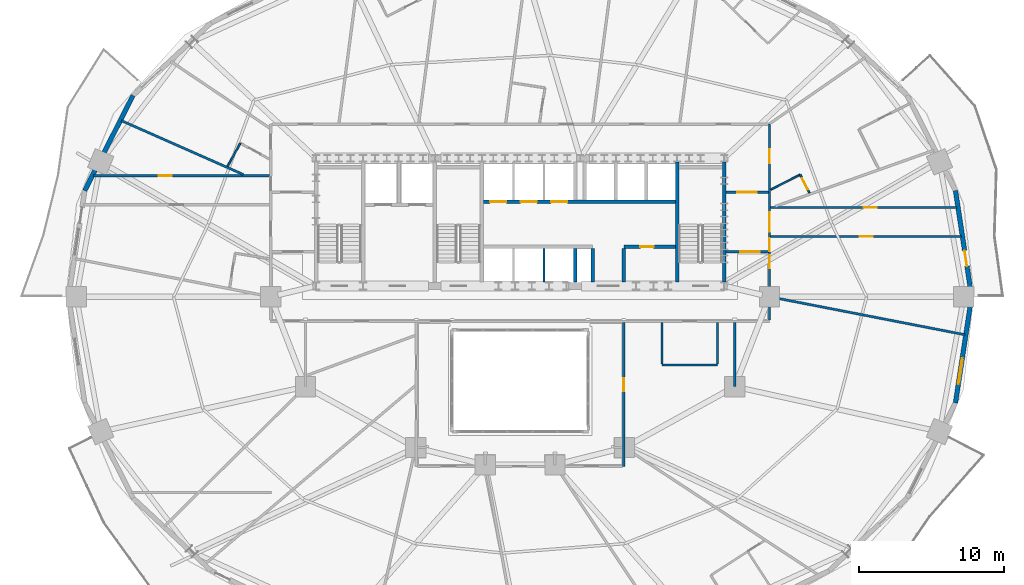
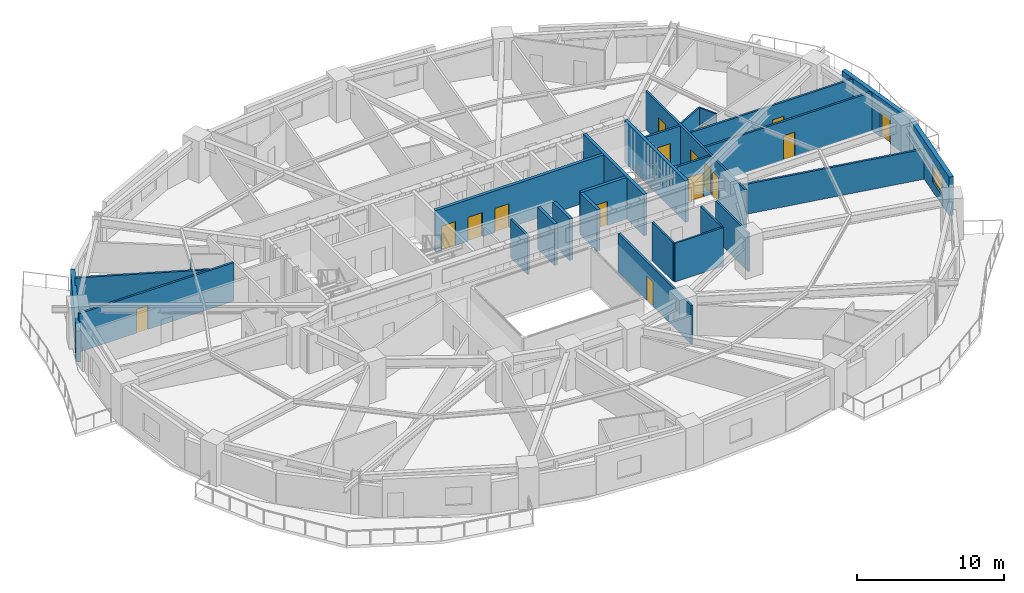
# One storey, part 11 of 17: 27 walls, 16 doors, 1 window, 17 openings.
"""IFC4 building model written with IfcOpenShell, lengths in metres."""

from ifc_helpers import new_model, si_unit, direction, frame, frame_2d, origin, place, context, subcontext, project, spatial, rectangle, extrude, material, layer, layer_set, type_object, element, fill, save


model = new_model("IFC4")

# Units and contexts
model_context = context("Model", 3, precision=1e-05, world=origin(), true_north=direction((0.0, 1.0)))
body_context = subcontext(model_context, "Body", "Model", "MODEL_VIEW")
ifc_project = project(units=[si_unit("LENGTHUNIT", "METRE"), si_unit("AREAUNIT", "SQUARE_METRE"), si_unit("VOLUMEUNIT", "CUBIC_METRE"), si_unit("PLANEANGLEUNIT", "RADIAN"), si_unit("MASSUNIT", "GRAM", prefix="KILO")], contexts=[model_context])

# Site, building, storey
site_placement = place(None, origin())
site = spatial("IfcSite", under=ifc_project, at=site_placement, CompositionType="ELEMENT")
building_placement = place(site_placement, origin())
building = spatial("IfcBuilding", under=site, at=building_placement, Name="Haldorwick Loom Tower", CompositionType="ELEMENT")
storey_placement = place(building_placement, frame((0.0, 0.0, 51.60009765625)))
storey = spatial("IfcBuildingStorey", under=building, at=storey_placement, Name="L13", CompositionType="ELEMENT", Elevation=51.60009765625)

# Wall, opening, door
ifc_material_1 = material(Name="Pressed Clay Face Brick and Insulated Masonry Backup Assembly", Category="masonry")
ifc_layer_1 = layer(ifc_material_1, 0.320068359375, Name="Pressed Clay Face Brick and Insulated Masonry Backup Assembly", Category="masonry")
ifc_layer_set_1 = layer_set([ifc_layer_1], Name="Pressed Clay Face Brick and Insulated Masonry Backup Assembly")
wall_type_1 = type_object("IfcWallType", Name="ARC-WL-EXT320", PredefinedType="STANDARD", material=ifc_layer_set_1)
wall_1_placement = place(storey_placement, frame((67.135986328125, 26.0, 0.0), z_axis=(0.0, 0.0, 1.0), x_axis=(-0.150476322528, 0.988613613278, 0.0)))
wall_1 = element("IfcWall", 1, at=wall_1_placement, inside=storey, type_object=wall_type_1, Name="L13 Brick Pier and Spandrel Wall 1", PredefinedType="STANDARD", context=body_context, shape_type="SweptSolid", body=[
    extrude(rectangle(XDim=7.40478515625, YDim=0.320068359375, at=frame_2d((3.702392578125, 0.0))), origin(), (0.0, 0.0, 1.0), 3.2099609375),
])
opening_1_placement = place(wall_1_placement, frame((2.1416015625, 0.0, 0.0)))
opening_1 = element("IfcOpeningElement", 2, at=opening_1_placement, cuts=wall_1, Name="Opening D-BL11", PredefinedType="OPENING", context=body_context, shape_type="SweptSolid", body=[
    extrude(rectangle(XDim=1.080078125, YDim=2.0400390625, at=frame_2d((0.5400390625, 1.02001953125))), frame((0.0, 0.169921875, 0.0), z_axis=(0.0, -1.0, 0.0), x_axis=(1.0, 0.0, 0.0)), (0.0, 0.0, 1.0), 0.340087890625),
])
ifc_material_2 = material(Name="Thermally Broken Anodized Aluminium Curtain Wall Framing", Category="aluminium")
door_type_1 = type_object("IfcDoorType", Name="ARC-DR-BAL110", OperationType="NOTDEFINED", PredefinedType="DOOR", material=ifc_material_2)
door_1_placement = place(opening_1_placement, origin())
door_1 = element("IfcDoor", 3, at=door_1_placement, inside=storey, type_object=door_type_1, Name="L13 Outdoor Terrace Door SLB-L13-BAL_ENE", OperationType="SINGLE_SWING_RIGHT", OverallHeight=2.0400390625, OverallWidth=1.080078125, PredefinedType="DOOR", context=body_context, shape_type="SweptSolid", body=[
    extrude(rectangle(XDim=1.080078125, YDim=2.0400390625, at=frame_2d((0.5400390625, 1.02001953125))), frame((0.0, 0.02490234375, 0.0), z_axis=(0.0, -1.0, 0.0), x_axis=(1.0, 0.0, 0.0)), (0.0, 0.0, 1.0), 0.050048828125),
])
fill(opening_1, door_1)

# Wall
wall_2_placement = place(storey_placement, frame((9.311279296875, 39.880859375, 0.0), z_axis=(0.0, 0.0, 1.0), x_axis=(-0.452950855928, -0.891535485617, 0.0)))
element("IfcWall", 4, at=wall_2_placement, inside=storey, type_object=wall_type_1, Name="L13 Brick Pier and Spandrel Wall 11", PredefinedType="STANDARD", context=body_context, shape_type="SweptSolid", body=[
    extrude(rectangle(XDim=7.3583984375, YDim=0.320068359375, at=frame_2d((3.67919921875, 0.0))), origin(), (0.0, 0.0, 1.0), 2.56884765625),
])

# Wall, opening, window
wall_3_placement = place(storey_placement, frame((66.021728515625, 18.679443359375, 0.0), z_axis=(0.0, 0.0, 1.0), x_axis=(0.150476322528, 0.988613613278, 0.0)))
wall_3 = element("IfcWall", 5, at=wall_3_placement, inside=storey, type_object=wall_type_1, Name="L13 Brick Pier and Spandrel Wall 24", PredefinedType="STANDARD", context=body_context, shape_type="SweptSolid", body=[
    extrude(rectangle(XDim=7.40478515625, YDim=0.320068359375, at=frame_2d((3.702392578125, 0.0))), origin(), (0.0, 0.0, 1.0), 3.2099609375),
])
opening_2_placement = place(wall_3_placement, frame((1.321533203125, 0.0, 0.800048828125)))
opening_2 = element("IfcOpeningElement", 6, at=opening_2_placement, cuts=wall_3, Name="Opening W-01", PredefinedType="OPENING", context=body_context, shape_type="SweptSolid", body=[
    extrude(rectangle(XDim=1.800048828125, YDim=1.47998046875, at=frame_2d((0.89990234375, 0.739990234375))), frame((0.0, 0.169921875, 0.0), z_axis=(0.0, -1.0, 0.0), x_axis=(1.0, 0.0, 0.0)), (0.0, 0.0, 1.0), 0.340087890625),
])
ifc_material_3 = material(Name="Triple-Glazed Low-E Argon Insulated Glazing Unit", Category="glass")
window_type = type_object("IfcWindowType", Name="ARC-WIN-W180", PartitioningType="SINGLE_PANEL", PredefinedType="WINDOW", material=ifc_material_3)
window_placement = place(opening_2_placement, origin())
window = element("IfcWindow", 7, at=window_placement, inside=storey, type_object=window_type, Name="L13 Deep-Set Zone 7A Window 24", OverallHeight=1.47998046875, OverallWidth=1.800048828125, PartitioningType="SINGLE_PANEL", PredefinedType="WINDOW", context=body_context, shape_type="SweptSolid", body=[
    extrude(rectangle(XDim=1.800048828125, YDim=1.47998046875, at=frame_2d((0.89990234375, 0.739990234375))), frame((0.0, 0.030029296875, 0.0), z_axis=(0.0, -1.0, 0.0), x_axis=(1.0, 0.0, 0.0)), (0.0, 0.0, 1.0), 0.06005859375),
])
fill(opening_2, window)

# Wall, openings, doors
ifc_material_4 = material(Name="Fire-Rated Type X Gypsum Stud Assembly EI 60")
ifc_layer_2 = layer(ifc_material_4, 0.159912109375, Name="Fire-Rated Type X Gypsum Stud Assembly EI 60")
ifc_layer_set_2 = layer_set([ifc_layer_2], Name="Fire-Rated Type X Gypsum Stud Assembly EI 60")
wall_type_2 = type_object("IfcWallType", Name="ARC-WL-FIRE160", PredefinedType="PARTITIONING", material=ifc_layer_set_2)
wall_4_placement = place(storey_placement, frame((53.199951171875, 24.383056640625, 0.0), z_axis=(0.0, 0.0, 1.0), x_axis=(0.0, 1.0, 0.0)))
wall_4 = element("IfcWall", 8, at=wall_4_placement, inside=storey, type_object=wall_type_2, Name="L13 Residential Fire Partition L13-CR-E0", PredefinedType="PARTITIONING", context=body_context, shape_type="SweptSolid", body=[
    extrude(rectangle(XDim=13.516845703125, YDim=0.159912109375, at=frame_2d((6.75830078125, 0.0))), origin(), (0.0, 0.0, 1.0), 3.19482421875),
])
opening_3_placement = place(wall_4_placement, frame((6.08349609375, 0.0, 0.0)))
opening_3 = element("IfcOpeningElement", 9, at=opening_3_placement, cuts=wall_4, Name="Opening D-CR15", PredefinedType="OPENING", context=body_context, shape_type="SweptSolid", body=[
    extrude(rectangle(XDim=1.35009765625, YDim=2.0, at=frame_2d((0.675048828125, 1.0))), frame((0.0, 0.08984375, 0.0), z_axis=(0.0, -1.0, 0.0), x_axis=(1.0, 0.0, 0.0)), (0.0, 0.0, 1.0), 0.179931640625),
])
opening_4_placement = place(wall_4_placement, frame((10.826171875, 0.0, 0.0)))
opening_4 = element("IfcOpeningElement", 10, at=opening_4_placement, cuts=wall_4, Name="Opening D-FL95", PredefinedType="OPENING", context=body_context, shape_type="SweptSolid", body=[
    extrude(rectangle(XDim=0.949951171875, YDim=2.0400390625, at=frame_2d((0.47509765625, 1.02001953125))), frame((0.0, 0.08984375, 0.0), z_axis=(0.0, -1.0, 0.0), x_axis=(1.0, 0.0, 0.0)), (0.0, 0.0, 1.0), 0.179931640625),
])
opening_5_placement = place(wall_4_placement, frame((3.5908203125, 0.0, 0.0)))
opening_5 = element("IfcOpeningElement", 11, at=opening_5_placement, cuts=wall_4, Name="Opening D-FD60A", PredefinedType="OPENING", context=body_context, shape_type="SweptSolid", body=[
    extrude(rectangle(XDim=0.89990234375, YDim=2.0, at=frame_2d((0.449951171875, 1.0))), frame((0.0, 0.08984375, 0.0), z_axis=(0.0, -1.0, 0.0), x_axis=(1.0, 0.0, 0.0)), (0.0, 0.0, 1.0), 0.179931640625),
])
opening_6_placement = place(wall_4_placement, frame((4.75732421875, 0.0, 0.0)))
opening_6 = element("IfcOpeningElement", 12, at=opening_6_placement, cuts=wall_4, Name="Opening D-FD60A", PredefinedType="OPENING", context=body_context, shape_type="SweptSolid", body=[
    extrude(rectangle(XDim=0.89990234375, YDim=2.0, at=frame_2d((0.449951171875, 1.0))), frame((0.0, 0.08984375, 0.0), z_axis=(0.0, -1.0, 0.0), x_axis=(1.0, 0.0, 0.0)), (0.0, 0.0, 1.0), 0.179931640625),
])
ifc_material_5 = material(Name="Thermally Broken Anodized Aluminium and Tempered Glass", Category="aluminium")
door_type_2 = type_object("IfcDoorType", Name="ARC-DR-COR150", OperationType="NOTDEFINED", PredefinedType="DOOR", material=ifc_material_5)
door_2_placement = place(opening_3_placement, origin())
door_2 = element("IfcDoor", 13, at=door_2_placement, inside=storey, type_object=door_type_2, Name="L13 L13 East Residential Corridor to L13 East Daylight Corridor Door", OperationType="DOUBLE_DOOR_SINGLE_SWING", OverallHeight=2.0, OverallWidth=1.35009765625, PredefinedType="DOOR", context=body_context, shape_type="SweptSolid", body=[
    extrude(rectangle(XDim=1.35009765625, YDim=2.0, at=frame_2d((0.675048828125, 1.0))), frame((0.0, 0.02490234375, 0.0), z_axis=(0.0, -1.0, 0.0), x_axis=(1.0, 0.0, 0.0)), (0.0, 0.0, 1.0), 0.050048828125),
])
fill(opening_3, door_2)
ifc_material_6 = material(Name="Hollow Steel Fire Door Assembly", Category="steel")
door_type_3 = type_object("IfcDoorType", Name="ARC-DR-FD60-90", OperationType="NOTDEFINED", PredefinedType="DOOR", material=ifc_material_6)
door_3_placement = place(opening_5_placement, origin())
door_3 = element("IfcDoor", 14, at=door_3_placement, inside=storey, type_object=door_type_3, Name="L13 L13 Central Residential Corridor to Resident Cafe Room 2 Door", OperationType="SINGLE_SWING_LEFT", OverallHeight=2.0, OverallWidth=0.89990234375, PredefinedType="DOOR", context=body_context, shape_type="SweptSolid", body=[
    extrude(rectangle(XDim=0.89990234375, YDim=2.0, at=frame_2d((0.449951171875, 1.0))), frame((0.0, 0.02490234375, 0.0), z_axis=(0.0, -1.0, 0.0), x_axis=(1.0, 0.0, 0.0)), (0.0, 0.0, 1.0), 0.050048828125),
])
fill(opening_5, door_3)
door_4_placement = place(opening_6_placement, origin())
door_4 = element("IfcDoor", 15, at=door_4_placement, inside=storey, type_object=door_type_3, Name="L13 L13 East Residential Corridor to Resident Cafe Room 2 Door", OperationType="SINGLE_SWING_RIGHT", OverallHeight=2.0, OverallWidth=0.89990234375, PredefinedType="DOOR", context=body_context, shape_type="SweptSolid", body=[
    extrude(rectangle(XDim=0.89990234375, YDim=2.0, at=frame_2d((0.449951171875, 1.0))), frame((0.0, 0.02490234375, 0.0), z_axis=(0.0, -1.0, 0.0), x_axis=(1.0, 0.0, 0.0)), (0.0, 0.0, 1.0), 0.050048828125),
])
fill(opening_6, door_4)
ifc_material_7 = material(Name="Solid Core Birch Architectural Door")
door_type_4 = type_object("IfcDoorType", Name="ARC-DR-FLAT95", OperationType="NOTDEFINED", PredefinedType="DOOR", material=ifc_material_7)
door_5_placement = place(opening_4_placement, origin())
door_5 = element("IfcDoor", 16, at=door_5_placement, inside=storey, type_object=door_type_4, Name="L13 L13 North Residential Corridor to Unit 13J Kitchen and Living Room D", OperationType="SINGLE_SWING_LEFT", OverallHeight=2.0400390625, OverallWidth=0.949951171875, PredefinedType="DOOR", context=body_context, shape_type="SweptSolid", body=[
    extrude(rectangle(XDim=0.949951171875, YDim=2.0400390625, at=frame_2d((0.47509765625, 1.02001953125))), frame((0.0, 0.02490234375, 0.0), z_axis=(0.0, -1.0, 0.0), x_axis=(1.0, 0.0, 0.0)), (0.0, 0.0, 1.0), 0.050048828125),
])
fill(opening_4, door_5)

# Wall, opening, door
wall_5_placement = place(storey_placement, frame((50.193115234375, 29.10009765625, 0.0), z_axis=(0.0, 0.0, 1.0), x_axis=(1.0, 0.0, 0.0)))
wall_5 = element("IfcWall", 17, at=wall_5_placement, inside=storey, type_object=wall_type_2, Name="L13 Residential Fire Partition L13-CR-ESJ", PredefinedType="PARTITIONING", context=body_context, shape_type="SweptSolid", body=[
    extrude(rectangle(XDim=2.923828125, YDim=0.159912109375, at=frame_2d((1.4619140625, 0.0))), origin(), (0.0, 0.0, 1.0), 3.19482421875),
])
opening_7_placement = place(wall_5_placement, frame((0.99560546875, 0.0, 0.0)))
opening_7 = element("IfcOpeningElement", 18, at=opening_7_placement, cuts=wall_5, Name="Opening D-CR15", PredefinedType="OPENING", context=body_context, shape_type="SweptSolid", body=[
    extrude(rectangle(XDim=1.35009765625, YDim=2.0, at=frame_2d((0.675048828125, 1.0))), frame((0.0, 0.08984375, 0.0), z_axis=(0.0, -1.0, 0.0), x_axis=(1.0, 0.0, 0.0)), (0.0, 0.0, 1.0), 0.179931640625),
])
door_6_placement = place(opening_7_placement, origin())
door_6 = element("IfcDoor", 19, at=door_6_placement, inside=storey, type_object=door_type_2, Name="L13 L13 East Residential Corridor to L13 Central Residential Corridor Do", OperationType="DOUBLE_DOOR_SINGLE_SWING", OverallHeight=2.0, OverallWidth=1.35009765625, PredefinedType="DOOR", context=body_context, shape_type="SweptSolid", body=[
    extrude(rectangle(XDim=1.35009765625, YDim=2.0, at=frame_2d((0.675048828125, 1.0))), frame((0.0, 0.02490234375, 0.0), z_axis=(0.0, -1.0, 0.0), x_axis=(1.0, 0.0, 0.0)), (0.0, 0.0, 1.0), 0.050048828125),
])
fill(opening_7, door_6)

wall_6_placement = place(storey_placement, frame((50.193115234375, 33.199951171875, 0.0), z_axis=(0.0, 0.0, 1.0), x_axis=(1.0, 0.0, 0.0)))
wall_6 = element("IfcWall", 20, at=wall_6_placement, inside=storey, type_object=wall_type_2, Name="L13 Residential Fire Partition L13-CR-ENJ", PredefinedType="PARTITIONING", context=body_context, shape_type="SweptSolid", body=[
    extrude(rectangle(XDim=2.923828125, YDim=0.159912109375, at=frame_2d((1.4619140625, 0.0))), origin(), (0.0, 0.0, 1.0), 3.19482421875),
])
opening_8_placement = place(wall_6_placement, frame((0.787109375, 0.0, 0.0)))
opening_8 = element("IfcOpeningElement", 21, at=opening_8_placement, cuts=wall_6, Name="Opening D-CR15", PredefinedType="OPENING", context=body_context, shape_type="SweptSolid", body=[
    extrude(rectangle(XDim=1.35009765625, YDim=2.0, at=frame_2d((0.675048828125, 1.0))), frame((0.0, 0.08984375, 0.0), z_axis=(0.0, -1.0, 0.0), x_axis=(1.0, 0.0, 0.0)), (0.0, 0.0, 1.0), 0.179931640625),
])
door_7_placement = place(opening_8_placement, origin())
door_7 = element("IfcDoor", 22, at=door_7_placement, inside=storey, type_object=door_type_2, Name="L13 L13 North Residential Corridor to L13 East Residential Corridor Door", OperationType="DOUBLE_DOOR_SINGLE_SWING", OverallHeight=2.0, OverallWidth=1.35009765625, PredefinedType="DOOR", context=body_context, shape_type="SweptSolid", body=[
    extrude(rectangle(XDim=1.35009765625, YDim=2.0, at=frame_2d((0.675048828125, 1.0))), frame((0.0, 0.02490234375, 0.0), z_axis=(0.0, -1.0, 0.0), x_axis=(1.0, 0.0, 0.0)), (0.0, 0.0, 1.0), 0.050048828125),
])
fill(opening_8, door_7)

wall_7_placement = place(storey_placement, frame((43.14990234375, 14.300048828125, 0.0), z_axis=(0.0, 0.0, 1.0), x_axis=(0.0, 1.0, 0.0)))
wall_7 = element("IfcWall", 23, at=wall_7_placement, inside=storey, type_object=wall_type_2, Name="L13 Residential Fire Partition L13-CR-AE", PredefinedType="PARTITIONING", context=body_context, shape_type="SweptSolid", body=[
    extrude(rectangle(XDim=9.9169921875, YDim=0.159912109375, at=frame_2d((4.95849609375, 0.0))), origin(), (0.0, 0.0, 1.0), 3.19482421875),
])
opening_9_placement = place(wall_7_placement, frame((5.169677734375, 0.0, 0.0)))
opening_9 = element("IfcOpeningElement", 24, at=opening_9_placement, cuts=wall_7, Name="Opening D-FD60A", PredefinedType="OPENING", context=body_context, shape_type="SweptSolid", body=[
    extrude(rectangle(XDim=0.89990234375, YDim=2.0, at=frame_2d((0.449951171875, 1.0))), frame((0.0, 0.08984375, 0.0), z_axis=(0.0, -1.0, 0.0), x_axis=(1.0, 0.0, 0.0)), (0.0, 0.0, 1.0), 0.179931640625),
])
door_8_placement = place(opening_9_placement, origin())
door_8 = element("IfcDoor", 25, at=door_8_placement, inside=storey, type_object=door_type_3, Name="L13 L13 South Atrium Corridor to Co-Working Open Office 5 Door", OperationType="SINGLE_SWING_LEFT", OverallHeight=2.0, OverallWidth=0.89990234375, PredefinedType="DOOR", context=body_context, shape_type="SweptSolid", body=[
    extrude(rectangle(XDim=0.89990234375, YDim=2.0, at=frame_2d((0.449951171875, 1.0))), frame((0.0, 0.02490234375, 0.0), z_axis=(0.0, -1.0, 0.0), x_axis=(1.0, 0.0, 0.0)), (0.0, 0.0, 1.0), 0.050048828125),
])
fill(opening_9, door_8)

wall_8_placement = place(storey_placement, frame((6.57421875, 34.35009765625, 0.0), z_axis=(0.0, 0.0, 1.0), x_axis=(1.0, 0.0, 0.0)))
wall_8 = element("IfcWall", 26, at=wall_8_placement, inside=storey, type_object=wall_type_2, Name="L13 Residential Fire Partition L13-CR-GW1", PredefinedType="PARTITIONING", context=body_context, shape_type="SweptSolid", body=[
    extrude(rectangle(XDim=12.142822265625, YDim=0.159912109375, at=frame_2d((6.0712890625, 0.0))), origin(), (0.0, 0.0, 1.0), 3.19482421875),
])
opening_10_placement = place(wall_8_placement, frame((4.517578125, 0.0, 0.0)))
opening_10 = element("IfcOpeningElement", 27, at=opening_10_placement, cuts=wall_8, Name="Opening D-FD60A", PredefinedType="OPENING", context=body_context, shape_type="SweptSolid", body=[
    extrude(rectangle(XDim=0.89990234375, YDim=2.0, at=frame_2d((0.449951171875, 1.0))), frame((0.0, 0.08984375, 0.0), z_axis=(0.0, -1.0, 0.0), x_axis=(1.0, 0.0, 0.0)), (0.0, 0.0, 1.0), 0.179931640625),
])
door_9_placement = place(opening_10_placement, frame((0.89990234375, 0.0, 0.0), z_axis=(0.0, 0.0, 1.0), x_axis=(-1.0, 0.0, 0.0)))
door_9 = element("IfcDoor", 28, at=door_9_placement, inside=storey, type_object=door_type_3, Name="L13 Resident Study Room 10 to L13 West Daylight Corridor Door", OperationType="SINGLE_SWING_RIGHT", OverallHeight=2.0, OverallWidth=0.89990234375, PredefinedType="DOOR", context=body_context, shape_type="SweptSolid", body=[
    extrude(rectangle(XDim=0.89990234375, YDim=2.0, at=frame_2d((0.449951171875, 1.0))), frame((0.0, 0.02490234375, 0.0), z_axis=(0.0, -1.0, 0.0), x_axis=(1.0, 0.0, 0.0)), (0.0, 0.0, 1.0), 0.050048828125),
])
fill(opening_10, door_9)

wall_9_placement = place(storey_placement, frame((53.282958984375, 30.14990234375, 0.0), z_axis=(0.0, 0.0, 1.0), x_axis=(1.0, 0.0, 0.0)))
wall_9 = element("IfcWall", 29, at=wall_9_placement, inside=storey, type_object=wall_type_2, Name="L13 Residential Fire Partition L13-CR-GE0", PredefinedType="PARTITIONING", context=body_context, shape_type="SweptSolid", body=[
    extrude(rectangle(XDim=13.15576171875, YDim=0.159912109375, at=frame_2d((6.577880859375, 0.0))), origin(), (0.0, 0.0, 1.0), 3.19482421875),
])
opening_11_placement = place(wall_9_placement, frame((6.127685546875, 0.0, 0.0)))
opening_11 = element("IfcOpeningElement", 30, at=opening_11_placement, cuts=wall_9, Name="Opening D-FD60A", PredefinedType="OPENING", context=body_context, shape_type="SweptSolid", body=[
    extrude(rectangle(XDim=0.89990234375, YDim=2.0, at=frame_2d((0.449951171875, 1.0))), frame((0.0, 0.08984375, 0.0), z_axis=(0.0, -1.0, 0.0), x_axis=(1.0, 0.0, 0.0)), (0.0, 0.0, 1.0), 0.179931640625),
])
door_10_placement = place(opening_11_placement, origin())
door_10 = element("IfcDoor", 31, at=door_10_placement, inside=storey, type_object=door_type_3, Name="L13 L13 East Daylight Corridor to Resident Cafe Room 2 Door", OperationType="SINGLE_SWING_LEFT", OverallHeight=2.0, OverallWidth=0.89990234375, PredefinedType="DOOR", context=body_context, shape_type="SweptSolid", body=[
    extrude(rectangle(XDim=0.89990234375, YDim=2.0, at=frame_2d((0.449951171875, 1.0))), frame((0.0, 0.02490234375, 0.0), z_axis=(0.0, -1.0, 0.0), x_axis=(1.0, 0.0, 0.0)), (0.0, 0.0, 1.0), 0.050048828125),
])
fill(opening_11, door_10)

wall_10_placement = place(storey_placement, frame((53.282958984375, 32.14990234375, 0.0), z_axis=(0.0, 0.0, 1.0), x_axis=(1.0, 0.0, 0.0)))
wall_10 = element("IfcWall", 32, at=wall_10_placement, inside=storey, type_object=wall_type_2, Name="L13 Residential Fire Partition L13-CR-GE1", PredefinedType="PARTITIONING", context=body_context, shape_type="SweptSolid", body=[
    extrude(rectangle(XDim=12.851318359375, YDim=0.159912109375, at=frame_2d((6.42578125, 0.0))), origin(), (0.0, 0.0, 1.0), 3.19482421875),
])
opening_12_placement = place(wall_10_placement, frame((6.418701171875, 0.0, 0.0)))
opening_12 = element("IfcOpeningElement", 33, at=opening_12_placement, cuts=wall_10, Name="Opening D-FD60A", PredefinedType="OPENING", context=body_context, shape_type="SweptSolid", body=[
    extrude(rectangle(XDim=0.89990234375, YDim=2.0, at=frame_2d((0.449951171875, 1.0))), frame((0.0, 0.08984375, 0.0), z_axis=(0.0, -1.0, 0.0), x_axis=(1.0, 0.0, 0.0)), (0.0, 0.0, 1.0), 0.179931640625),
])
door_11_placement = place(opening_12_placement, frame((0.89990234375, 0.0, 0.0), z_axis=(0.0, 0.0, 1.0), x_axis=(-1.0, 0.0, 0.0)))
door_11 = element("IfcDoor", 34, at=door_11_placement, inside=storey, type_object=door_type_3, Name="L13 Tenant Committee Meeting Room 9 to L13 East Daylight Corridor Door", OperationType="SINGLE_SWING_LEFT", OverallHeight=2.0, OverallWidth=0.89990234375, PredefinedType="DOOR", context=body_context, shape_type="SweptSolid", body=[
    extrude(rectangle(XDim=0.89990234375, YDim=2.0, at=frame_2d((0.449951171875, 1.0))), frame((0.0, 0.02490234375, 0.0), z_axis=(0.0, -1.0, 0.0), x_axis=(1.0, 0.0, 0.0)), (0.0, 0.0, 1.0), 0.050048828125),
])
fill(opening_12, door_11)

# Walls
wall_11_placement = place(storey_placement, frame((53.282958984375, 25.98388671875, 0.0), z_axis=(0.0, 0.0, 1.0), x_axis=(0.98162656706, -0.190812166391, 0.0)))
element("IfcWall", 35, at=wall_11_placement, inside=storey, type_object=wall_type_2, Name="L13 Residential Fire Partition L13-ICR-01", PredefinedType="PARTITIONING", context=body_context, shape_type="SweptSolid", body=[
    extrude(rectangle(XDim=13.63916015625, YDim=0.159912109375, at=frame_2d((6.819580078125, 0.0))), origin(), (0.0, 0.0, 1.0), 2.489990234375),
])
wall_12_placement = place(storey_placement, frame((50.800048828125, 24.217041015625, 0.0), z_axis=(0.0, 0.0, 1.0), x_axis=(0.0, -1.0, 0.0)))
element("IfcWall", 36, at=wall_12_placement, inside=storey, type_object=wall_type_2, Name="L13 Residential Fire Partition L13-ICA-02", PredefinedType="PARTITIONING", context=body_context, shape_type="SweptSolid", body=[
    extrude(rectangle(XDim=4.4169921875, YDim=0.159912109375, at=frame_2d((2.20849609375, 0.0))), origin(), (0.0, 0.0, 1.0), 3.19482421875),
])
wall_13_placement = place(storey_placement, frame((16.90673828125, 34.43310546875, 0.0), z_axis=(0.0, 0.0, 1.0), x_axis=(-0.914755811252, 0.404007185309, 0.0)))
element("IfcWall", 37, at=wall_13_placement, inside=storey, type_object=wall_type_2, Name="L13 Suite Split Wall", PredefinedType="PARTITIONING", context=body_context, shape_type="SweptSolid", body=[
    extrude(rectangle(XDim=9.187744140625, YDim=0.159912109375, at=frame_2d((4.59375, 0.0))), origin(), (0.0, 0.0, 1.0), 3.19482421875),
])

# Wall, opening, door
ifc_material_8 = material(Name="Acoustic Gypsum Stud Assembly STC 55")
ifc_layer_3 = layer(ifc_material_8, 0.1201171875, Name="Acoustic Gypsum Stud Assembly STC 55")
ifc_layer_set_3 = layer_set([ifc_layer_3], Name="Acoustic Gypsum Stud Assembly STC 55")
wall_type_3 = type_object("IfcWallType", Name="ARC-WL-PART120", PredefinedType="PARTITIONING", material=ifc_layer_set_3)
wall_14_placement = place(storey_placement, frame((55.95458984375, 33.152099609375, 0.0), z_axis=(0.0, 0.0, 1.0), x_axis=(-0.449491547188, 0.893284584557, 0.0)))
wall_14 = element("IfcWall", 38, at=wall_14_placement, inside=storey, type_object=wall_type_3, Name="L13 Unit 13J Interior Partition", PredefinedType="PARTITIONING", context=body_context, shape_type="SweptSolid", body=[
    extrude(rectangle(XDim=1.413818359375, YDim=0.1201171875, at=frame_2d((0.70703125, 0.0))), origin(), (0.0, 0.0, 1.0), 3.19482421875),
])
opening_13_placement = place(wall_14_placement, frame((0.266845703125, 0.0, 0.0)))
opening_13 = element("IfcOpeningElement", 39, at=opening_13_placement, cuts=wall_14, Name="Opening D-BT88", PredefinedType="OPENING", context=body_context, shape_type="SweptSolid", body=[
    extrude(rectangle(XDim=0.8798828125, YDim=2.02001953125, at=frame_2d((0.43994140625, 1.010009765625))), frame((0.0, 0.070068359375, 0.0), z_axis=(0.0, -1.0, 0.0), x_axis=(1.0, 0.0, 0.0)), (0.0, 0.0, 1.0), 0.14013671875),
])
door_type_5 = type_object("IfcDoorType", Name="ARC-DR-BATH88", OperationType="NOTDEFINED", PredefinedType="DOOR", material=ifc_material_7)
door_12_placement = place(opening_13_placement, origin())
door_12 = element("IfcDoor", 40, at=door_12_placement, inside=storey, type_object=door_type_5, Name="L13 Unit 13J Bathroom to Unit 13J Kitchen and Living Room Door", OperationType="SINGLE_SWING_RIGHT", OverallHeight=2.02001953125, OverallWidth=0.8798828125, PredefinedType="DOOR", context=body_context, shape_type="SweptSolid", body=[
    extrude(rectangle(XDim=0.8798828125, YDim=2.02001953125, at=frame_2d((0.43994140625, 1.010009765625))), frame((0.0, 0.02490234375, 0.0), z_axis=(0.0, -1.0, 0.0), x_axis=(1.0, 0.0, 0.0)), (0.0, 0.0, 1.0), 0.050048828125),
])
fill(opening_13, door_12)

# Walls
wall_15_placement = place(storey_placement, frame((53.282958984375, 33.390380859375, 0.0), z_axis=(0.0, 0.0, 1.0), x_axis=(0.893267449767, 0.449525597922, 0.0)))
element("IfcWall", 41, at=wall_15_placement, inside=storey, type_object=wall_type_3, Name="L13 Unit 13J Interior Partition", PredefinedType="PARTITIONING", context=body_context, shape_type="SweptSolid", body=[
    extrude(rectangle(XDim=2.279541015625, YDim=0.1201171875, at=frame_2d((1.1396484375, 0.0))), origin(), (0.0, 0.0, 1.0), 3.19482421875),
])
wall_16_placement = place(storey_placement, frame((16.705322265625, 36.589111328125, 0.0), z_axis=(0.0, 0.0, 1.0), x_axis=(-0.48048220159, -0.877004477728, 0.0)))
element("IfcWall", 42, at=wall_16_placement, inside=storey, type_object=wall_type_3, Name="L13 Unit 13L Interior Partition", PredefinedType="PARTITIONING", context=body_context, shape_type="SweptSolid", body=[
    extrude(rectangle(XDim=1.814453125, YDim=0.1201171875, at=frame_2d((0.9072265625, 0.0))), origin(), (0.0, 0.0, 1.0), 2.826904296875),
])
ifc_layer_4 = layer(ifc_material_4, 0.139892578125, Name="Fire-Rated Type X Gypsum Stud Assembly EI 60")
ifc_layer_set_4 = layer_set([ifc_layer_4], Name="Fire-Rated Type X Gypsum Stud Assembly EI 60")
wall_type_4 = type_object("IfcWallType", Name="ARC-WL-PART140", PredefinedType="PARTITIONING", material=ifc_layer_set_4)
wall_17_placement = place(storey_placement, frame((45.800048828125, 21.300048828125, 0.0), z_axis=(0.0, 0.0, 1.0), x_axis=(1.0, 0.0, 0.0)))
element("IfcWall", 43, at=wall_17_placement, inside=storey, type_object=wall_type_4, Name="L13 Residential Fire Partition L13-CWC-S", PredefinedType="PARTITIONING", context=body_context, shape_type="SweptSolid", body=[
    extrude(rectangle(XDim=3.800048828125, YDim=0.139892578125, at=frame_2d((1.89990234375, 0.0))), origin(), (0.0, 0.0, 1.0), 3.19482421875),
])
for number, where, z_axis, x_axis, name in (
    (44, (45.800048828125, 21.373046875, 0.0), (0.0, 0.0, 1.0), (0.0, 1.0, 0.0), "L13 Residential Fire Partition L13-CWC-W"),
    (45, (49.60009765625, 21.373046875, 0.0), (0.0, 0.0, 1.0), (0.0, 1.0, 0.0), "L13 Residential Fire Partition L13-CWC-E"),
):
    element("IfcWall", number, at=place(storey_placement, frame(where, z_axis=z_axis, x_axis=x_axis)), inside=storey, type_object=wall_type_4, Name=name, PredefinedType="PARTITIONING", context=body_context, shape_type="SweptSolid", body=[
        extrude(rectangle(XDim=2.843994140625, YDim=0.139892578125, at=frame_2d((1.421875, 0.0))), origin(), (0.0, 0.0, 1.0), 3.19482421875),
    ])
ifc_material_9 = material(Name="Fire-Rated Type X Gypsum Stud Assembly EI 120")
ifc_layer_5 = layer(ifc_material_9, 0.1650390625, Name="Fire-Rated Type X Gypsum Stud Assembly EI 120")
ifc_layer_set_5 = layer_set([ifc_layer_5], Name="Fire-Rated Type X Gypsum Stud Assembly EI 120")
wall_type_5 = type_object("IfcWallType", Name="ARC-WL-SHAFT160", PredefinedType="MOVABLE", material=ifc_layer_set_5)
wall_18_placement = place(storey_placement, frame((37.64990234375, 27.0029296875, 0.0), z_axis=(0.0, 0.0, 1.0), x_axis=(0.0, 1.0, 0.0)))
element("IfcWall", 46, at=wall_18_placement, inside=storey, type_object=wall_type_5, Name="L13 Mid-Rise Hoistway Divider 2", PredefinedType="MOVABLE", context=body_context, shape_type="SweptSolid", body=[
    extrude(rectangle(XDim=2.323974609375, YDim=0.159912109375, at=frame_2d((1.162109375, 0.0))), origin(), (0.0, 0.0, 1.0), 3.19482421875),
])
ifc_material_10 = material(Name="Concrete C50 (50 MPa)", Category="concrete")
ifc_layer_6 = layer(ifc_material_10, 0.239990234375, Name="Concrete C50 (50 MPa)", Category="concrete")
ifc_layer_set_6 = layer_set([ifc_layer_6], Name="Concrete C50 (50 MPa)")
wall_type_6 = type_object("IfcWallType", Name="STR-WL-SHAFT240", PredefinedType="SHEAR", material=ifc_layer_set_6)
for number, where, z_axis, x_axis, name in (
    (47, (50.070068359375, 27.0029296875, 0.0), (0.0, 0.0, 1.0), (0.0, 1.0, 0.0), "L13 Core Shear Wall E"),
    (48, (46.830078125, 27.0029296875, 0.0), (0.0, 0.0, 1.0), (0.0, 1.0, 0.0), "L13 Core Shear Wall 4"),
):
    element("IfcWall", number, at=place(storey_placement, frame(where, z_axis=z_axis, x_axis=x_axis)), inside=storey, type_object=wall_type_6, Name=name, PredefinedType="SHEAR", context=body_context, shape_type="SweptSolid", body=[
        extrude(rectangle(XDim=8.294189453125, YDim=0.239990234375, at=frame_2d((4.14697265625, 0.0))), origin(), (0.0, 0.0, 1.0), 3.449951171875),
    ])

# Wall, openings, doors
wall_19_placement = place(storey_placement, frame((33.492919921875, 32.550048828125, 0.0), z_axis=(0.0, 0.0, 1.0), x_axis=(1.0, 0.0, 0.0)))
wall_19 = element("IfcWall", 49, at=wall_19_placement, inside=storey, type_object=wall_type_6, Name="L13 Core Shear Wall LN", PredefinedType="SHEAR", context=body_context, shape_type="SweptSolid", body=[
    extrude(rectangle(XDim=13.214111328125, YDim=0.239990234375, at=frame_2d((6.60693359375, 0.0))), origin(), (0.0, 0.0, 1.0), 3.449951171875),
])
opening_14_placement = place(wall_19_placement, frame((0.447021484375, 0.0, 0.0)))
opening_14 = element("IfcOpeningElement", 50, at=opening_14_placement, cuts=wall_19, Name="Opening LD-L1", PredefinedType="OPENING", context=body_context, shape_type="SweptSolid", body=[
    extrude(rectangle(XDim=1.1201171875, YDim=2.0, at=frame_2d((0.56005859375, 1.0))), frame((0.0, 0.1298828125, 0.0), z_axis=(0.0, -1.0, 0.0), x_axis=(1.0, 0.0, 0.0)), (0.0, 0.0, 1.0), 0.260009765625),
])
opening_15_placement = place(wall_19_placement, frame((2.547119140625, 0.0, 0.0)))
opening_15 = element("IfcOpeningElement", 51, at=opening_15_placement, cuts=wall_19, Name="Opening LD-L2", PredefinedType="OPENING", context=body_context, shape_type="SweptSolid", body=[
    extrude(rectangle(XDim=1.1201171875, YDim=2.0, at=frame_2d((0.56005859375, 1.0))), frame((0.0, 0.1298828125, 0.0), z_axis=(0.0, -1.0, 0.0), x_axis=(1.0, 0.0, 0.0)), (0.0, 0.0, 1.0), 0.260009765625),
])
opening_16_placement = place(wall_19_placement, frame((4.64697265625, 0.0, 0.0)))
opening_16 = element("IfcOpeningElement", 52, at=opening_16_placement, cuts=wall_19, Name="Opening LD-L3", PredefinedType="OPENING", context=body_context, shape_type="SweptSolid", body=[
    extrude(rectangle(XDim=1.1201171875, YDim=2.0, at=frame_2d((0.56005859375, 1.0))), frame((0.0, 0.1298828125, 0.0), z_axis=(0.0, -1.0, 0.0), x_axis=(1.0, 0.0, 0.0)), (0.0, 0.0, 1.0), 0.260009765625),
])
door_type_6 = type_object("IfcDoorType", Name="ARC-DR-LD-PAX", OperationType="NOTDEFINED", PredefinedType="USERDEFINED", material=ifc_material_6)
door_13_placement = place(opening_14_placement, origin())
door_13 = element("IfcDoor", 53, at=door_13_placement, inside=storey, type_object=door_type_6, Name="L13 Lift LF-L1 Sliding Landing Door", ObjectType="LANDING DOOR", OperationType="DOUBLE_DOOR_SLIDING", OverallHeight=2.0, OverallWidth=1.1201171875, PredefinedType="USERDEFINED", context=body_context, shape_type="SweptSolid", body=[
    extrude(rectangle(XDim=1.1201171875, YDim=2.0, at=frame_2d((0.56005859375, 1.0))), frame((0.0, 0.02490234375, 0.0), z_axis=(0.0, -1.0, 0.0), x_axis=(1.0, 0.0, 0.0)), (0.0, 0.0, 1.0), 0.050048828125),
])
fill(opening_14, door_13)
door_14_placement = place(opening_15_placement, origin())
door_14 = element("IfcDoor", 54, at=door_14_placement, inside=storey, type_object=door_type_6, Name="L13 Lift LF-L2 Sliding Landing Door", ObjectType="LANDING DOOR", OperationType="DOUBLE_DOOR_SLIDING", OverallHeight=2.0, OverallWidth=1.1201171875, PredefinedType="USERDEFINED", context=body_context, shape_type="SweptSolid", body=[
    extrude(rectangle(XDim=1.1201171875, YDim=2.0, at=frame_2d((0.56005859375, 1.0))), frame((0.0, 0.02490234375, 0.0), z_axis=(0.0, -1.0, 0.0), x_axis=(1.0, 0.0, 0.0)), (0.0, 0.0, 1.0), 0.050048828125),
])
fill(opening_15, door_14)
door_15_placement = place(opening_16_placement, origin())
door_15 = element("IfcDoor", 55, at=door_15_placement, inside=storey, type_object=door_type_6, Name="L13 Lift LF-L3 Sliding Landing Door", ObjectType="LANDING DOOR", OperationType="DOUBLE_DOOR_SLIDING", OverallHeight=2.0, OverallWidth=1.1201171875, PredefinedType="USERDEFINED", context=body_context, shape_type="SweptSolid", body=[
    extrude(rectangle(XDim=1.1201171875, YDim=2.0, at=frame_2d((0.56005859375, 1.0))), frame((0.0, 0.02490234375, 0.0), z_axis=(0.0, -1.0, 0.0), x_axis=(1.0, 0.0, 0.0)), (0.0, 0.0, 1.0), 0.050048828125),
])
fill(opening_16, door_15)

# Wall, opening, door
wall_20_placement = place(storey_placement, frame((43.14990234375, 29.449951171875, 0.0), z_axis=(0.0, 0.0, 1.0), x_axis=(1.0, 0.0, 0.0)))
wall_20 = element("IfcWall", 56, at=wall_20_placement, inside=storey, type_object=wall_type_6, Name="L13 Core Shear Wall LS2", PredefinedType="SHEAR", context=body_context, shape_type="SweptSolid", body=[
    extrude(rectangle(XDim=3.55712890625, YDim=0.239990234375, at=frame_2d((1.778564453125, 0.0))), origin(), (0.0, 0.0, 1.0), 3.449951171875),
])
opening_17_placement = place(wall_20_placement, frame((1.14990234375, 0.0, 0.0)))
opening_17 = element("IfcOpeningElement", 57, at=opening_17_placement, cuts=wall_20, Name="Opening D-FD60A", PredefinedType="OPENING", context=body_context, shape_type="SweptSolid", body=[
    extrude(rectangle(XDim=0.89990234375, YDim=2.0, at=frame_2d((0.449951171875, 1.0))), frame((0.0, 0.1298828125, 0.0), z_axis=(0.0, -1.0, 0.0), x_axis=(1.0, 0.0, 0.0)), (0.0, 0.0, 1.0), 0.260009765625),
])
door_16_placement = place(opening_17_placement, origin())
door_16 = element("IfcDoor", 58, at=door_16_placement, inside=storey, type_object=door_type_3, Name="L13 Electrical Metering Door", OperationType="SINGLE_SWING_LEFT", OverallHeight=2.0, OverallWidth=0.89990234375, PredefinedType="DOOR", context=body_context, shape_type="SweptSolid", body=[
    extrude(rectangle(XDim=0.89990234375, YDim=2.0, at=frame_2d((0.449951171875, 1.0))), frame((0.0, 0.02490234375, 0.0), z_axis=(0.0, -1.0, 0.0), x_axis=(1.0, 0.0, 0.0)), (0.0, 0.0, 1.0), 0.050048828125),
])
fill(opening_17, door_16)

# Walls
for number, where, z_axis, x_axis, name in (
    (59, (41.0, 27.0029296875, 0.0), (0.0, 0.0, 1.0), (0.0, 1.0, 0.0), "L13 Core Shear Wall THW"),
    (60, (43.14990234375, 27.0029296875, 0.0), (0.0, 0.0, 1.0), (0.0, 1.0, 0.0), "L13 Core Shear Wall THE"),
    (61, (39.800048828125, 27.0029296875, 0.0), (0.0, 0.0, 1.0), (0.0, 1.0, 0.0), "L13 Core Shear Wall MRW"),
):
    element("IfcWall", number, at=place(storey_placement, frame(where, z_axis=z_axis, x_axis=x_axis)), inside=storey, type_object=wall_type_6, Name=name, PredefinedType="SHEAR", context=body_context, shape_type="SweptSolid", body=[
        extrude(rectangle(XDim=2.323974609375, YDim=0.239990234375, at=frame_2d((1.162109375, 0.0))), origin(), (0.0, 0.0, 1.0), 3.449951171875),
    ])

save(model, "model.ifc")
